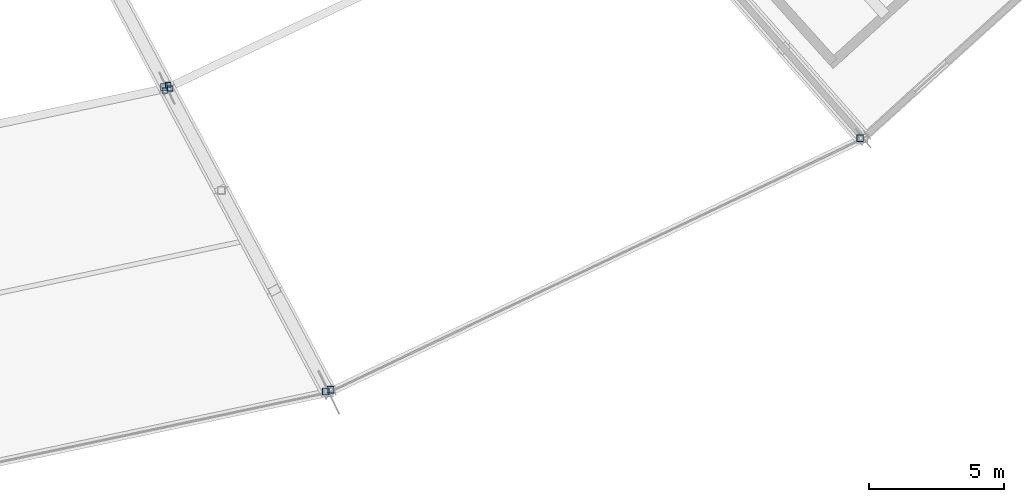
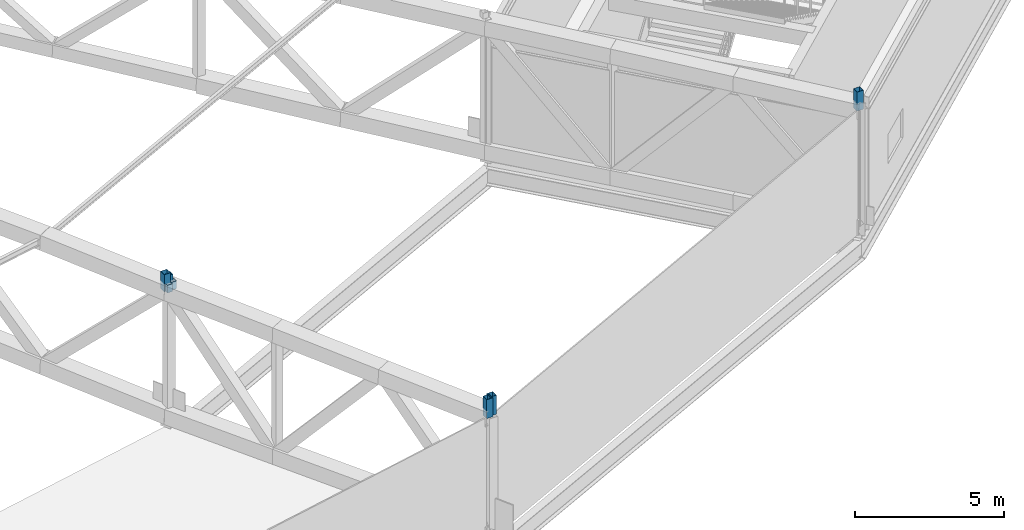
# One storey, part 112 of 162: 7 members.
"""IFC4 building model written with IfcOpenShell, lengths in metres."""

from ifc_helpers import new_model, si_unit, direction, frame, origin, origin_2d, place, context, subcontext, project, spatial, hollow_rectangle, extrude, material, material_profile, profile_set, type_object, element, save


model = new_model("IFC4")

# Units and contexts
model_context = context("Model", 3, precision=1e-05, world=origin(), true_north=direction((0.0, 1.0)))
body_context = subcontext(model_context, "Body", "Model", "MODEL_VIEW")
ifc_project = project(units=[si_unit("LENGTHUNIT", "METRE"), si_unit("AREAUNIT", "SQUARE_METRE"), si_unit("VOLUMEUNIT", "CUBIC_METRE"), si_unit("PLANEANGLEUNIT", "RADIAN"), si_unit("MASSUNIT", "GRAM", prefix="KILO")], contexts=[model_context])

# Site, building, storey
site_placement = place(None, origin())
site = spatial("IfcSite", under=ifc_project, at=site_placement, CompositionType="ELEMENT")
building_placement = place(site_placement, origin())
building = spatial("IfcBuilding", under=site, at=building_placement, Name="Kazemori Nagisa Stadium", CompositionType="ELEMENT")
storey_placement = place(building_placement, frame((0.0, 0.0, 36.719970703125)))
storey = spatial("IfcBuildingStorey", under=building, at=storey_placement, Name="RF", CompositionType="ELEMENT", Elevation=36.719970703125)

# Members
ifc_material = material(Name="Steel STKR490", Category="steel")
ifc_material_profile_1 = material_profile(ifc_material, hollow_rectangle(XDim=0.25, YDim=0.25, WallThickness=0.011962890625, at=origin_2d()), Name="SHS-250x250x12")
ifc_profile_set_1 = profile_set([ifc_material_profile_1], Name="Steel STKR490")
member_type_1 = type_object("IfcMemberType", Name="Member_ST-SHS250", PredefinedType="STUD", material=ifc_profile_set_1)
member_1_placement = place(storey_placement, frame((165.68896484375, 21.5673828125, 5.10009765625), z_axis=(0.0, 0.0, 1.0), x_axis=(1.0, 0.0, 0.0)))
element("IfcMember", 1, at=member_1_placement, inside=storey, type_object=member_type_1, Name="Canopy bearing stool B23-outer-2", PredefinedType="STUD", context=body_context, shape_type="SweptSolid", body=[
    extrude(hollow_rectangle(XDim=0.25, YDim=0.25, WallThickness=0.011962890625, at=origin_2d()), origin(), (0.0, 0.0, 1.0), 0.77490234375),
])
member_2_placement = place(storey_placement, frame((159.70068359375, 32.845703125, 5.56005859375), z_axis=(0.0, 0.0, 1.0), x_axis=(1.0, 0.0, 0.0)))
element("IfcMember", 2, at=member_2_placement, inside=storey, type_object=member_type_1, Name="Canopy bearing stool B23-mid-2", PredefinedType="STUD", context=body_context, shape_type="SweptSolid", body=[
    extrude(hollow_rectangle(XDim=0.25, YDim=0.25, WallThickness=0.011962890625, at=origin_2d()), origin(), (0.0, 0.0, 1.0), 0.698974609375),
])
for number, where, z_axis, x_axis, name in (
    (3, (165.867919921875, 21.6376953125, 5.10009765625), (0.0, 0.0, 1.0), (1.0, 0.0, 0.0), "Canopy bearing stool B24-outer-1"),
    (4, (185.47802734375, 30.9462890625, 5.10009765625), (0.0, 0.0, 1.0), (1.0, 0.0, 0.0), "Canopy bearing stool B24-outer-2"),
):
    element("IfcMember", number, at=place(storey_placement, frame(where, z_axis=z_axis, x_axis=x_axis)), inside=storey, type_object=member_type_1, Name=name, PredefinedType="STUD", context=body_context, shape_type="SweptSolid", body=[
        extrude(hollow_rectangle(XDim=0.25, YDim=0.25, WallThickness=0.011962890625, at=origin_2d()), origin(), (0.0, 0.0, 1.0), 0.77490234375),
    ])
ifc_material_profile_2 = material_profile(ifc_material, hollow_rectangle(XDim=0.199951171875, YDim=0.199951171875, WallThickness=0.009033203125, at=origin_2d()), Name="SHS-200x200x9")
ifc_profile_set_2 = profile_set([ifc_material_profile_2], Name="Steel STKR490")
member_type_2 = type_object("IfcMemberType", Name="Member_TS-SHS200", PredefinedType="STRUT", material=ifc_profile_set_2)
for number, where, z_axis, x_axis, name in (
    (5, (159.73193359375, 32.71142578125, 5.56005859375), (0.0, 0.0, 1.0), (1.0, 0.0, 0.0), "Canopy bearing stool B23-outer-3"),
    (6, (159.931396484375, 32.788330078125, 5.56005859375), (0.0, 0.0, 1.0), (1.0, 0.0, 0.0), "Canopy bearing stool B24-outer-4"),
):
    element("IfcMember", number, at=place(storey_placement, frame(where, z_axis=z_axis, x_axis=x_axis)), inside=storey, type_object=member_type_2, Name=name, PredefinedType="STRUT", context=body_context, shape_type="SweptSolid", body=[
        extrude(hollow_rectangle(XDim=0.199951171875, YDim=0.199951171875, WallThickness=0.009033203125, at=origin_2d()), origin(), (0.0, 0.0, 1.0), 0.31494140625),
    ])
member_3_placement = place(storey_placement, frame((159.858154296875, 32.91162109375, 5.56005859375), z_axis=(0.0, 0.0, 1.0), x_axis=(1.0, 0.0, 0.0)))
element("IfcMember", 7, at=member_3_placement, inside=storey, type_object=member_type_2, Name="Canopy bearing stool B24-mid-1", PredefinedType="STRUT", context=body_context, shape_type="SweptSolid", body=[
    extrude(hollow_rectangle(XDim=0.199951171875, YDim=0.199951171875, WallThickness=0.009033203125, at=origin_2d()), origin(), (0.0, 0.0, 1.0), 0.544921875),
])

save(model, "model.ifc")
